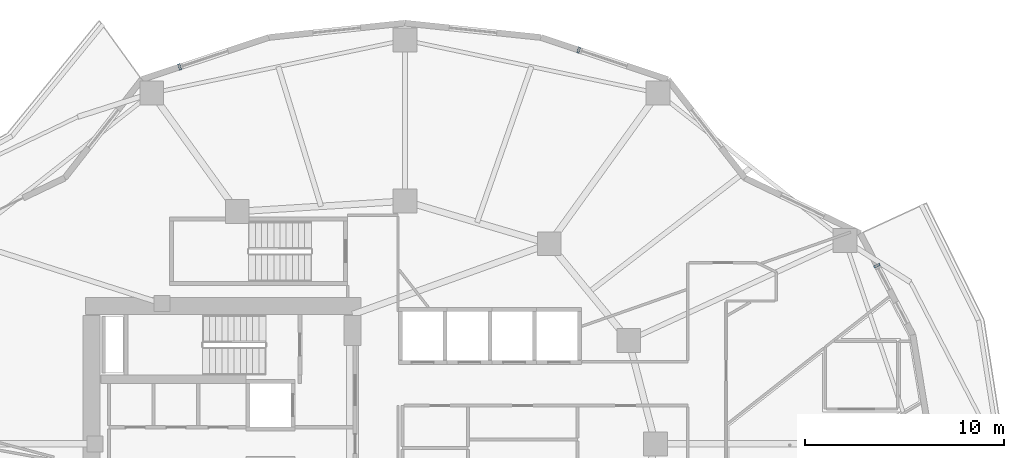
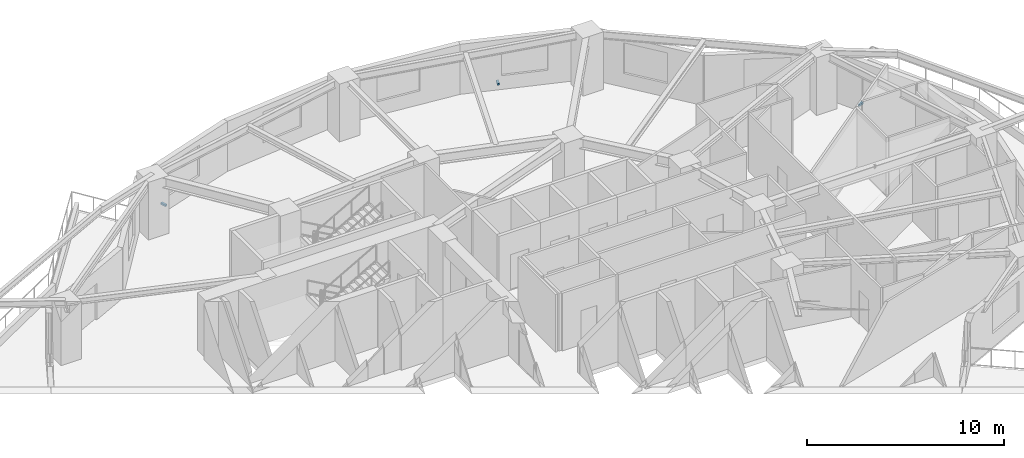
# One storey, part 11 of 15: 3 discrete accessories.
"""IFC4 building model written with IfcOpenShell, lengths in metres."""

import ifcopenshell
import ifcopenshell.guid

model = None  # the IFC model being written
_history = None  # IfcOwnerHistory: only IFC2X3 demands one
_inside = {}  # id of a spatial element -> (the spatial element, [elements in it])
_under = {}  # id of a project, library or spatial element -> (it, [spatial elements below it])
_declared = {}  # id of a project -> (the project, [libraries it declares])
_typed = {}  # id of a type object -> (the type object, [elements of that type])
_made_of = {}  # id of a material, layer set ... -> (it, [elements and type objects made of it])


def new_model(schema):
    """Start an empty IFC model of exactly this schema.

    Asked for "IFC4X3", IfcOpenShell would pick the latest addendum, in which some entities
    have other attributes; the version numbers below select the first issue.
    IFC2X3 requires an IfcOwnerHistory on every rooted entity: one is made here for all.
    """
    global model, _history
    if schema == "IFC4X3":
        model = ifcopenshell.file(schema_version=(4, 3, 0, 0))
    else:
        model = ifcopenshell.file(schema=schema)
    _inside.clear()
    _under.clear()
    _declared.clear()
    _typed.clear()
    _made_of.clear()
    _history = None
    if model.schema == "IFC2X3":
        org = make("IfcOrganization", Name="unknown")
        user = make(
            "IfcPersonAndOrganization",
            ThePerson=make("IfcPerson", FamilyName="unknown"),
            TheOrganization=org,
        )
        app = make(
            "IfcApplication",
            ApplicationDeveloper=org,
            Version="unknown",
            ApplicationFullName="unknown",
            ApplicationIdentifier="unknown",
        )
        _history = make(
            "IfcOwnerHistory",
            OwningUser=user,
            OwningApplication=app,
            ChangeAction="ADDED",
            CreationDate=0,
        )
    return model


def make(cls, **values):
    """One entity of the class cls with the attributes given. An attribute that is None is left unset."""
    return model.create_entity(
        cls, **{name: value for name, value in values.items() if value is not None}
    )


def rooted(cls, **values):
    """An entity with a GlobalId (a new one), such as an element, a storey or a relation."""
    return make(cls, GlobalId=ifcopenshell.guid.new(), OwnerHistory=_history, **values)


def si_unit(unit_type, name, prefix=None):
    """IfcSIUnit, for example si_unit("LENGTHUNIT", "METRE", prefix="MILLI")."""
    return make("IfcSIUnit", UnitType=unit_type, Prefix=prefix, Name=name)


def assignment(units):
    """IfcUnitAssignment: the units of a project."""
    return None if units is None else make("IfcUnitAssignment", Units=units)


def point(xyz):
    """IfcCartesianPoint."""
    return None if xyz is None else make("IfcCartesianPoint", Coordinates=xyz)


def direction(xyz):
    """IfcDirection."""
    return None if xyz is None else make("IfcDirection", DirectionRatios=xyz)


def frame(location, z_axis=None, x_axis=None):
    """IfcAxis2Placement3D, a coordinate frame: its origin and axes. An axis left out is left unset."""
    return make(
        "IfcAxis2Placement3D",
        Location=point(location),
        Axis=direction(z_axis),
        RefDirection=direction(x_axis),
    )


def frame_2d(location, x_axis=None):
    """IfcAxis2Placement2D, a coordinate frame in the plane: its origin and x axis."""
    return make(
        "IfcAxis2Placement2D", Location=point(location), RefDirection=direction(x_axis)
    )


def origin():
    """The frame at (0, 0, 0) with its axes left unset."""
    return frame((0.0, 0.0, 0.0))


def origin_2d():
    """The frame at (0, 0) in the plane with its x axis left unset."""
    return frame_2d((0.0, 0.0))


def place(relative_to, where):
    """IfcLocalPlacement: puts the frame where relative to a parent placement (None: the world)."""
    return make(
        "IfcLocalPlacement", PlacementRelTo=relative_to, RelativePlacement=where
    )


def context(
    kind, dimensions, precision=None, world=None, true_north=None, identifier=None
):
    """IfcGeometricRepresentationContext, for example the 3D "Model" context."""
    return make(
        "IfcGeometricRepresentationContext",
        ContextIdentifier=identifier,
        ContextType=kind,
        CoordinateSpaceDimension=dimensions,
        Precision=precision,
        WorldCoordinateSystem=world,
        TrueNorth=true_north,
    )


def subcontext(parent, identifier, kind, view, scale=None):
    """IfcGeometricRepresentationSubContext, for example "Body" below "Model"."""
    return make(
        "IfcGeometricRepresentationSubContext",
        ContextIdentifier=identifier,
        ContextType=kind,
        ParentContext=parent,
        TargetScale=scale,
        TargetView=view,
    )


def project(units=None, contexts=None):
    """IfcProject with its units and contexts."""
    return rooted(
        "IfcProject",
        Name="project",
        RepresentationContexts=contexts,
        UnitsInContext=assignment(units),
    )


def spatial(cls, under=None, at=None, **own):
    """A site, building, storey or space (cls), placed at a placement, below another one or the project."""
    s = rooted(cls, ObjectPlacement=at, **own)
    if under is not None:
        _under.setdefault(under.id(), (under, []))[1].append(s)
    return s


def profile(cls, at=None, kind="AREA", **sizes):
    """A parametric profile (cls). Its sizes go by their IFC names, for example OverallWidth=200.0."""
    return make(cls, ProfileType=kind, Position=at, **sizes)


def rectangle(**sizes):
    """IfcRectangleProfileDef."""
    return profile("IfcRectangleProfileDef", **sizes)


def extrude(swept, where, along, depth):
    """IfcExtrudedAreaSolid: the profile swept, set in the frame where, extruded along a direction by depth."""
    return make(
        "IfcExtrudedAreaSolid",
        SweptArea=swept,
        Position=where,
        ExtrudedDirection=direction(along),
        Depth=depth,
    )


def shape(context_of_items, identifier, shape_type, items):
    """IfcShapeRepresentation: the items that make up one representation, for example the "Body"."""
    return make(
        "IfcShapeRepresentation",
        ContextOfItems=context_of_items,
        RepresentationIdentifier=identifier,
        RepresentationType=shape_type,
        Items=items,
    )


def material(Name=None, Category=None):
    """IfcMaterial."""
    return make("IfcMaterial", Name=Name, Category=Category)


def made_of(thing, what):
    """Note that an element or type object is made of a material, layer set ...; save() writes the relation."""
    if what is not None:
        _made_of.setdefault(what.id(), (what, []))[1].append(thing)
    return thing


def type_object(cls, material=None, **own):
    """A type object (cls), such as IfcWallType, which elements share."""
    return made_of(rooted(cls, **own), material)


def element(
    cls,
    number,
    at=None,
    inside=None,
    cuts=None,
    type_object=None,
    material=None,
    context=None,
    identifier="Body",
    shape_type=None,
    held_by="IfcProductDefinitionShape",
    body=None,
    shapes=None,
    **own,
):
    """One element of the class cls, such as IfcWall. Its Tag is "e" and its number.

    at: its placement. inside: the storey or other place that contains it. cuts: it is an
    opening in that element (IfcRelVoidsElement). A single representation is given by context,
    identifier, shape_type and body (its items); several are given by shapes. held_by: the class
    of the entity that holds the representations. save() writes the other relations.
    """
    e = rooted(cls, Tag="e%d" % number, ObjectPlacement=at, **own)
    if body is not None:
        shapes = [shape(context, identifier, shape_type, body)]
    if shapes is not None:
        e.Representation = make(held_by, Representations=shapes)
    if inside is not None:
        _inside.setdefault(inside.id(), (inside, []))[1].append(e)
    if cuts is not None:
        rooted(
            "IfcRelVoidsElement", RelatingBuildingElement=cuts, RelatedOpeningElement=e
        )
    if type_object is not None:
        _typed.setdefault(type_object.id(), (type_object, []))[1].append(e)
    return made_of(e, material)


def aggregate(whole, parts):
    """IfcRelAggregates: a whole, such as a stair, and the parts it consists of."""
    return rooted("IfcRelAggregates", RelatingObject=whole, RelatedObjects=parts)


def save(model, path):
    """Write the relations noted so far, then the file.

    IfcRelAggregates (storeys below a building ...), IfcRelContainedInSpatialStructure (elements
    in a storey), IfcRelDefinesByType, IfcRelAssociatesMaterial and IfcRelDeclares: one each for
    every whole, place, type object, material and project.
    """
    for whole, parts in _under.values():
        aggregate(whole, parts)
    for where, things in _inside.values():
        rooted(
            "IfcRelContainedInSpatialStructure",
            RelatedElements=things,
            RelatingStructure=where,
        )
    for kind, things in _typed.values():
        rooted("IfcRelDefinesByType", RelatedObjects=things, RelatingType=kind)
    for what, things in _made_of.values():
        rooted("IfcRelAssociatesMaterial", RelatedObjects=things, RelatingMaterial=what)
    for by, libraries in _declared.values():
        rooted("IfcRelDeclares", RelatingContext=by, RelatedDefinitions=libraries)
    model.write(path)


model = new_model("IFC4")

# Units and contexts
model_context = context("Model", 3, precision=1e-05, world=origin(), true_north=direction((0.0, 1.0)))
body_context = subcontext(model_context, "Body", "Model", "MODEL_VIEW")
ifc_project = project(units=[si_unit("LENGTHUNIT", "METRE"), si_unit("AREAUNIT", "SQUARE_METRE"), si_unit("VOLUMEUNIT", "CUBIC_METRE"), si_unit("PLANEANGLEUNIT", "RADIAN"), si_unit("MASSUNIT", "GRAM", prefix="KILO")], contexts=[model_context])

# Site, building, storey
site_placement = place(None, origin())
site = spatial("IfcSite", under=ifc_project, at=site_placement, CompositionType="ELEMENT")
building_placement = place(site_placement, origin())
building = spatial("IfcBuilding", under=site, at=building_placement, Name="Kolvaren Gate Tower and Convention Centre", CompositionType="ELEMENT")
storey_placement = place(building_placement, frame((0.0, 0.0, 72.699951171875)))
storey = spatial("IfcBuildingStorey", under=building, at=storey_placement, Name="L17", CompositionType="ELEMENT", Elevation=72.699951171875)

# Discrete accessories
ifc_material = material(Name="Anodized Architectural Aluminium Alloy 6063-T6", Category="aluminium")
discrete_accessory_type = type_object("IfcDiscreteAccessoryType", Name="ARCH-ACC-BRACKET-120", PredefinedType="BRACKET", material=ifc_material)
for number, where, z_axis, x_axis, name in (
    (1, (53.857421875, 35.958740234375, 0.2900390625), (0.0, 0.0, 1.0), (0.45980150925, -0.888021718254, 0.0), "Ceramic Fin Wall Anchor Bracket FBK-L17-01"),
    (2, (38.864990234375, 46.800537109375, 0.2900390625), (0.0, 0.0, 1.0), (0.949241728595, -0.314547517385, 0.0), "Ceramic Fin Wall Anchor Bracket FBK-L17-04"),
    (3, (18.8037109375, 45.9453125, 0.2900390625), (0.0, 0.0, 1.0), (0.949240081615, 0.314552487599, 0.0), "Ceramic Fin Wall Anchor Bracket FBK-L17-07"),
):
    element("IfcDiscreteAccessory", number, at=place(storey_placement, frame(where, z_axis=z_axis, x_axis=x_axis)), inside=storey, type_object=discrete_accessory_type, Name=name, PredefinedType="BRACKET", context=body_context, shape_type="SweptSolid", body=[
        extrude(rectangle(XDim=0.1201171875, YDim=0.320068359375, at=origin_2d()), origin(), (0.0, 0.0, 1.0), 0.1201171875),
    ])

save(model, "model.ifc")
